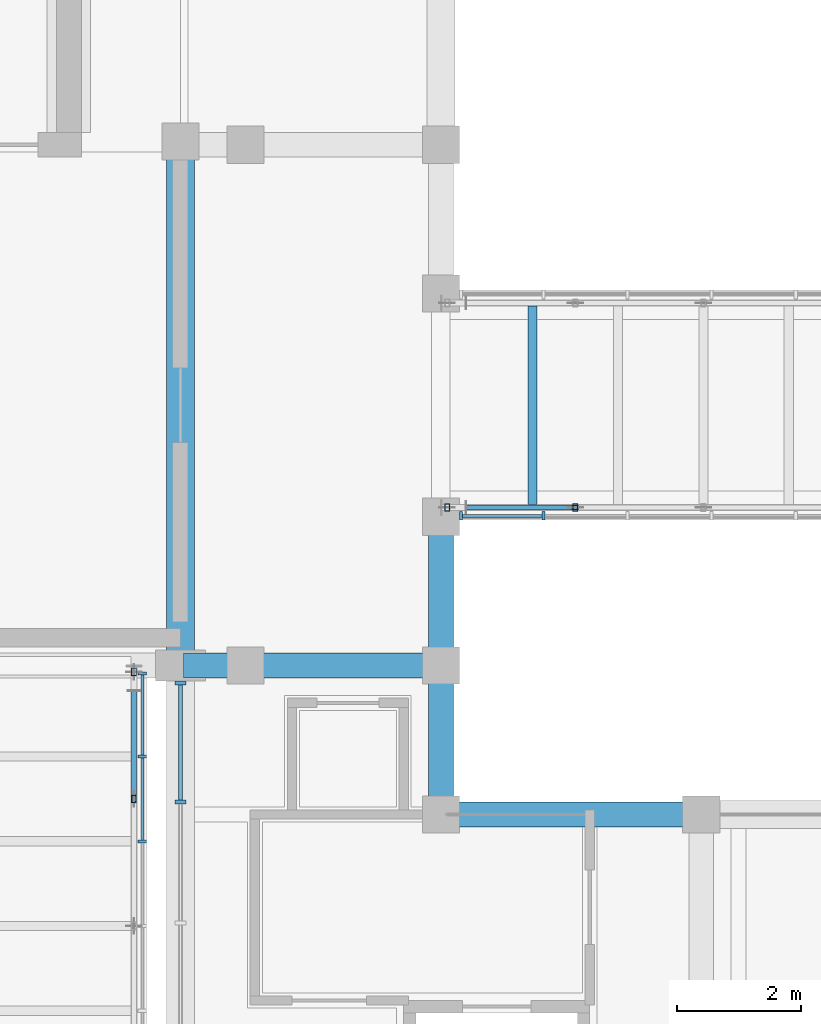
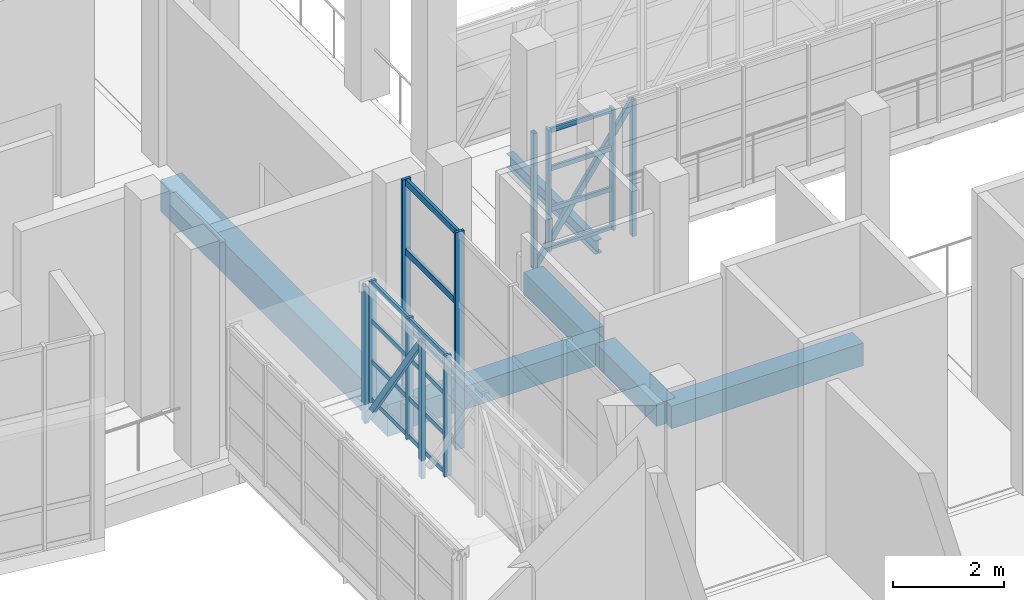
# One storey, part 13 of 86: 29 members, 7 beams, 3 elements without a shape of their own.
"""IFC4 building model written with IfcOpenShell, lengths in metres."""

from ifc_helpers import new_model, si_unit, direction, frame, origin, origin_2d, place, context, subcontext, project, spatial, rectangle, hollow_rectangle, i_section, extrude, material, layer, layer_set, material_profile, profile_set, type_object, element, aggregate, save


model = new_model("IFC4")

# Units and contexts
model_context = context("Model", 3, precision=1e-05, world=origin(), true_north=direction((0.0, 1.0)))
body_context = subcontext(model_context, "Body", "Model", "MODEL_VIEW")
ifc_project = project(units=[si_unit("LENGTHUNIT", "METRE"), si_unit("AREAUNIT", "SQUARE_METRE"), si_unit("VOLUMEUNIT", "CUBIC_METRE"), si_unit("PLANEANGLEUNIT", "RADIAN"), si_unit("MASSUNIT", "GRAM", prefix="KILO")], contexts=[model_context])

# Site, building, storey
site_placement = place(None, origin())
site = spatial("IfcSite", under=ifc_project, at=site_placement, CompositionType="ELEMENT")
building_placement = place(site_placement, origin())
building = spatial("IfcBuilding", under=site, at=building_placement, Name="Kiln Court Media Centre", CompositionType="ELEMENT")
storey_placement = place(building_placement, frame((0.0, 0.0, 10.199951171875)))
storey = spatial("IfcBuildingStorey", under=building, at=storey_placement, Name="L02", CompositionType="ELEMENT", Elevation=10.199951171875)

# Curtain wall, members
ifc_material_1 = material(Name="Aluminium 6063-T6", Category="aluminium")
ifc_layer_1 = layer(ifc_material_1, 0.1201171875)
ifc_layer_set_1 = layer_set([ifc_layer_1], Name="Aluminium unitised curtain wall, bridge")
curtain_wall_type_1 = type_object("IfcCurtainWallType", Name="Aluminium unitised curtain wall, bridge", PredefinedType="USERDEFINED", material=ifc_layer_set_1)
curtain_wall_1_placement = place(storey_placement, origin())
curtain_wall_1 = element("IfcCurtainWall", 1, at=curtain_wall_1_placement, inside=storey, type_object=curtain_wall_type_1, Name="BR-1 side glazing", ObjectType="UNITISED CURTAIN WALL", PredefinedType="USERDEFINED")
ifc_material_2 = material(Name="Aluminium 6063-T6", Category="aluminium")
ifc_material_profile_1 = material_profile(ifc_material_2, rectangle(XDim=0.050048828125, YDim=0.139892578125, at=origin_2d()), Name="Aluminium hall mullion 50x140")
ifc_profile_set_1 = profile_set([ifc_material_profile_1], Name="Aluminium 6063-T6")
member_type_1 = type_object("IfcMemberType", Name="Aluminium hall mullion 50x140", PredefinedType="MULLION", material=ifc_profile_set_1)
member_1_placement = place(storey_placement, frame((32.985107421875, 30.7666015625, 0.0), z_axis=(0.0, 0.0, 1.0), x_axis=(0.0, 1.0, 0.0)))
member_1 = element("IfcMember", 2, at=member_1_placement, type_object=member_type_1, Name="CW2-64 mullion 5", PredefinedType="MULLION", context=body_context, shape_type="SweptSolid", body=[
    extrude(rectangle(XDim=0.050048828125, YDim=0.139892578125, at=origin_2d()), origin(), (0.0, 0.0, 1.0), 2.675048828125),
])
member_2_placement = place(storey_placement, frame((32.985107421875, 32.13330078125, 0.0), z_axis=(0.0, 0.0, 1.0), x_axis=(0.0, 1.0, 0.0)))
member_2 = element("IfcMember", 3, at=member_2_placement, type_object=member_type_1, Name="CW2-64 mullion 6", PredefinedType="MULLION", context=body_context, shape_type="SweptSolid", body=[
    extrude(rectangle(XDim=0.050048828125, YDim=0.139892578125, at=origin_2d()), origin(), (0.0, 0.0, 1.0), 2.675048828125),
])
member_3_placement = place(storey_placement, frame((32.985107421875, 33.47509765625, 0.0), z_axis=(0.0, 0.0, 1.0), x_axis=(0.0, 1.0, 0.0)))
member_3 = element("IfcMember", 4, at=member_3_placement, type_object=member_type_1, Name="CW2-64 mullion 7", PredefinedType="MULLION", context=body_context, shape_type="SweptSolid", body=[
    extrude(rectangle(XDim=0.050048828125, YDim=0.139892578125, at=origin_2d()), origin(), (0.0, 0.0, 1.0), 2.675048828125),
])

curtain_wall_2_placement = place(storey_placement, origin())
curtain_wall_2 = element("IfcCurtainWall", 5, at=curtain_wall_2_placement, inside=storey, type_object=curtain_wall_type_1, Name="BR-L02-FOY-11 side glazing", ObjectType="UNITISED CURTAIN WALL", PredefinedType="USERDEFINED")
member_4_placement = place(storey_placement, frame((38.125, 36.014892578125, 0.0), z_axis=(0.0, 0.0, 1.0), x_axis=(1.0, 0.0, 0.0)))
member_4 = element("IfcMember", 6, at=member_4_placement, type_object=member_type_1, Name="CW2-67 mullion 1", PredefinedType="MULLION", context=body_context, shape_type="SweptSolid", body=[
    extrude(rectangle(XDim=0.050048828125, YDim=0.139892578125, at=origin_2d()), origin(), (0.0, 0.0, 1.0), 2.675048828125),
])
member_5_placement = place(storey_placement, frame((39.45556640625, 36.014892578125, 0.0), z_axis=(0.0, 0.0, 1.0), x_axis=(1.0, 0.0, 0.0)))
member_5 = element("IfcMember", 7, at=member_5_placement, type_object=member_type_1, Name="CW2-67 mullion 2", PredefinedType="MULLION", context=body_context, shape_type="SweptSolid", body=[
    extrude(rectangle(XDim=0.050048828125, YDim=0.139892578125, at=origin_2d()), origin(), (0.0, 0.0, 1.0), 2.675048828125),
])

ifc_material_3 = material(Name="Aluminium 6063-T6", Category="aluminium")
ifc_layer_2 = layer(ifc_material_3, 0.1201171875)
ifc_layer_set_2 = layer_set([ifc_layer_2], Name="Aluminium stick curtain wall, gallery")
curtain_wall_type_2 = type_object("IfcCurtainWallType", Name="Aluminium stick curtain wall, gallery", PredefinedType="USERDEFINED", material=ifc_layer_set_2)
curtain_wall_3_placement = place(storey_placement, origin())
curtain_wall_3 = element("IfcCurtainWall", 8, at=curtain_wall_3_placement, inside=storey, type_object=curtain_wall_type_2, Name="Foyer west glazing L02", ObjectType="STICK CURTAIN WALL", PredefinedType="USERDEFINED")
ifc_material_4 = material(Name="Aluminium 6063-T6", Category="aluminium")
ifc_material_profile_2 = material_profile(ifc_material_4, rectangle(XDim=0.06005859375, YDim=0.179931640625, at=origin_2d()), Name="Aluminium hall mullion 60x180")
ifc_profile_set_2 = profile_set([ifc_material_profile_2], Name="Aluminium 6063-T6")
member_type_2 = type_object("IfcMemberType", Name="Aluminium hall mullion 60x180", PredefinedType="MULLION", material=ifc_profile_set_2)
member_6_placement = place(storey_placement, frame((33.60009765625, 31.39990234375, 0.0), z_axis=(0.0, 0.0, 1.0), x_axis=(0.0, 1.0, 0.0)))
member_6 = element("IfcMember", 9, at=member_6_placement, type_object=member_type_2, Name="CW2-62 mullion 4", PredefinedType="MULLION", context=body_context, shape_type="SweptSolid", body=[
    extrude(rectangle(XDim=0.06005859375, YDim=0.179931640625, at=origin_2d()), origin(), (0.0, 0.0, 1.0), 4.800048828125),
])
member_7_placement = place(storey_placement, frame((33.60009765625, 33.320068359375, 0.0), z_axis=(0.0, 0.0, 1.0), x_axis=(0.0, 1.0, 0.0)))
member_7 = element("IfcMember", 10, at=member_7_placement, type_object=member_type_2, Name="CW2-62 mullion 5", PredefinedType="MULLION", context=body_context, shape_type="SweptSolid", body=[
    extrude(rectangle(XDim=0.06005859375, YDim=0.179931640625, at=origin_2d()), origin(), (0.0, 0.0, 1.0), 4.800048828125),
])

# Member
ifc_material_5 = material(Name="Aluminium 6063-T6", Category="aluminium")
ifc_material_profile_3 = material_profile(ifc_material_5, rectangle(XDim=0.050048828125, YDim=0.10009765625, at=origin_2d()), Name="Aluminium hall transom 50x100")
ifc_profile_set_3 = profile_set([ifc_material_profile_3], Name="Aluminium 6063-T6")
member_type_3 = type_object("IfcMemberType", Name="Aluminium hall transom 50x100", PredefinedType="USERDEFINED", material=ifc_profile_set_3)
member_8_placement = place(storey_placement, frame((32.985107421875, 30.791748046875, 0.050048828125), z_axis=(0.0, 1.0, 0.0), x_axis=(-1.0, 0.0, 0.0)))
member_8 = element("IfcMember", 11, at=member_8_placement, type_object=member_type_3, Name="CW2-64 transom 5.1", ObjectType="TRANSOM", PredefinedType="USERDEFINED", context=body_context, shape_type="SweptSolid", body=[
    extrude(rectangle(XDim=0.050048828125, YDim=0.10009765625, at=origin_2d()), origin(), (0.0, 0.0, 1.0), 1.316650390625),
])

member_9_placement = place(storey_placement, frame((32.985107421875, 30.791748046875, 0.891845703125), z_axis=(0.0, 1.0, 0.0), x_axis=(-1.0, 0.0, 0.0)))
member_9 = element("IfcMember", 12, at=member_9_placement, type_object=member_type_3, Name="CW2-64 transom 5.2", ObjectType="TRANSOM", PredefinedType="USERDEFINED", context=body_context, shape_type="SweptSolid", body=[
    extrude(rectangle(XDim=0.050048828125, YDim=0.10009765625, at=origin_2d()), origin(), (0.0, 0.0, 1.0), 1.316650390625),
])

member_10_placement = place(storey_placement, frame((32.985107421875, 30.791748046875, 1.783447265625), z_axis=(0.0, 1.0, 0.0), x_axis=(-1.0, 0.0, 0.0)))
member_10 = element("IfcMember", 13, at=member_10_placement, type_object=member_type_3, Name="CW2-64 transom 5.3", ObjectType="TRANSOM", PredefinedType="USERDEFINED", context=body_context, shape_type="SweptSolid", body=[
    extrude(rectangle(XDim=0.050048828125, YDim=0.10009765625, at=origin_2d()), origin(), (0.0, 0.0, 1.0), 1.316650390625),
])

member_11_placement = place(storey_placement, frame((32.985107421875, 30.791748046875, 2.625), z_axis=(0.0, 1.0, 0.0), x_axis=(-1.0, 0.0, 0.0)))
member_11 = element("IfcMember", 14, at=member_11_placement, type_object=member_type_3, Name="CW2-64 transom 5.4", ObjectType="TRANSOM", PredefinedType="USERDEFINED", context=body_context, shape_type="SweptSolid", body=[
    extrude(rectangle(XDim=0.050048828125, YDim=0.10009765625, at=origin_2d()), origin(), (0.0, 0.0, 1.0), 1.316650390625),
])

member_12_placement = place(storey_placement, frame((32.985107421875, 32.158447265625, 0.050048828125), z_axis=(0.0, 1.0, 0.0), x_axis=(-1.0, 0.0, 0.0)))
member_12 = element("IfcMember", 15, at=member_12_placement, type_object=member_type_3, Name="CW2-64 transom 6.1", ObjectType="TRANSOM", PredefinedType="USERDEFINED", context=body_context, shape_type="SweptSolid", body=[
    extrude(rectangle(XDim=0.050048828125, YDim=0.10009765625, at=origin_2d()), origin(), (0.0, 0.0, 1.0), 1.29150390625),
])

member_13_placement = place(storey_placement, frame((32.985107421875, 32.158447265625, 0.891845703125), z_axis=(0.0, 1.0, 0.0), x_axis=(-1.0, 0.0, 0.0)))
member_13 = element("IfcMember", 16, at=member_13_placement, type_object=member_type_3, Name="CW2-64 transom 6.2", ObjectType="TRANSOM", PredefinedType="USERDEFINED", context=body_context, shape_type="SweptSolid", body=[
    extrude(rectangle(XDim=0.050048828125, YDim=0.10009765625, at=origin_2d()), origin(), (0.0, 0.0, 1.0), 1.29150390625),
])

member_14_placement = place(storey_placement, frame((32.985107421875, 32.158447265625, 1.783447265625), z_axis=(0.0, 1.0, 0.0), x_axis=(-1.0, 0.0, 0.0)))
member_14 = element("IfcMember", 17, at=member_14_placement, type_object=member_type_3, Name="CW2-64 transom 6.3", ObjectType="TRANSOM", PredefinedType="USERDEFINED", context=body_context, shape_type="SweptSolid", body=[
    extrude(rectangle(XDim=0.050048828125, YDim=0.10009765625, at=origin_2d()), origin(), (0.0, 0.0, 1.0), 1.29150390625),
])

member_15_placement = place(storey_placement, frame((32.985107421875, 32.158447265625, 2.625), z_axis=(0.0, 1.0, 0.0), x_axis=(-1.0, 0.0, 0.0)))
member_15 = element("IfcMember", 18, at=member_15_placement, type_object=member_type_3, Name="CW2-64 transom 6.4", ObjectType="TRANSOM", PredefinedType="USERDEFINED", context=body_context, shape_type="SweptSolid", body=[
    extrude(rectangle(XDim=0.050048828125, YDim=0.10009765625, at=origin_2d()), origin(), (0.0, 0.0, 1.0), 1.29150390625),
])

aggregate(curtain_wall_1, [member_1, member_2, member_3, member_8, member_9, member_10, member_11, member_12, member_13, member_14, member_15])

member_16_placement = place(storey_placement, frame((38.14990234375, 36.014892578125, 0.050048828125), z_axis=(1.0, 0.0, 0.0), x_axis=(0.0, 1.0, 0.0)))
member_16 = element("IfcMember", 19, at=member_16_placement, type_object=member_type_3, Name="CW2-67 transom 1.1", ObjectType="TRANSOM", PredefinedType="USERDEFINED", context=body_context, shape_type="SweptSolid", body=[
    extrude(rectangle(XDim=0.050048828125, YDim=0.10009765625, at=origin_2d()), origin(), (0.0, 0.0, 1.0), 1.28076171875),
])

member_17_placement = place(storey_placement, frame((38.14990234375, 36.014892578125, 0.891845703125), z_axis=(1.0, 0.0, 0.0), x_axis=(0.0, 1.0, 0.0)))
member_17 = element("IfcMember", 20, at=member_17_placement, type_object=member_type_3, Name="CW2-67 transom 1.2", ObjectType="TRANSOM", PredefinedType="USERDEFINED", context=body_context, shape_type="SweptSolid", body=[
    extrude(rectangle(XDim=0.050048828125, YDim=0.10009765625, at=origin_2d()), origin(), (0.0, 0.0, 1.0), 1.28076171875),
])

member_18_placement = place(storey_placement, frame((38.14990234375, 36.014892578125, 1.783447265625), z_axis=(1.0, 0.0, 0.0), x_axis=(0.0, 1.0, 0.0)))
member_18 = element("IfcMember", 21, at=member_18_placement, type_object=member_type_3, Name="CW2-67 transom 1.3", ObjectType="TRANSOM", PredefinedType="USERDEFINED", context=body_context, shape_type="SweptSolid", body=[
    extrude(rectangle(XDim=0.050048828125, YDim=0.10009765625, at=origin_2d()), origin(), (0.0, 0.0, 1.0), 1.28076171875),
])

member_19_placement = place(storey_placement, frame((38.14990234375, 36.014892578125, 2.625), z_axis=(1.0, 0.0, 0.0), x_axis=(0.0, 1.0, 0.0)))
member_19 = element("IfcMember", 22, at=member_19_placement, type_object=member_type_3, Name="CW2-67 transom 1.4", ObjectType="TRANSOM", PredefinedType="USERDEFINED", context=body_context, shape_type="SweptSolid", body=[
    extrude(rectangle(XDim=0.050048828125, YDim=0.10009765625, at=origin_2d()), origin(), (0.0, 0.0, 1.0), 1.28076171875),
])

aggregate(curtain_wall_2, [member_4, member_5, member_16, member_17, member_18, member_19])

ifc_material_6 = material(Name="Aluminium 6063-T6", Category="aluminium")
ifc_material_profile_4 = material_profile(ifc_material_6, rectangle(XDim=0.06005859375, YDim=0.139892578125, at=origin_2d()), Name="Aluminium hall transom 60x140")
ifc_profile_set_4 = profile_set([ifc_material_profile_4], Name="Aluminium 6063-T6")
member_type_4 = type_object("IfcMemberType", Name="Aluminium hall transom 60x140", PredefinedType="USERDEFINED", material=ifc_profile_set_4)
member_20_placement = place(storey_placement, frame((33.60009765625, 31.429931640625, 0.070068359375), z_axis=(0.0, 1.0, 0.0), x_axis=(-1.0, 0.0, 0.0)))
member_20 = element("IfcMember", 23, at=member_20_placement, type_object=member_type_4, Name="CW2-62 transom 4.1", ObjectType="TRANSOM", PredefinedType="USERDEFINED", context=body_context, shape_type="SweptSolid", body=[
    extrude(rectangle(XDim=0.06005859375, YDim=0.139892578125, at=origin_2d()), origin(), (0.0, 0.0, 1.0), 1.860107421875),
])

member_21_placement = place(storey_placement, frame((33.60009765625, 31.429931640625, 1.60009765625), z_axis=(0.0, 1.0, 0.0), x_axis=(-1.0, 0.0, 0.0)))
member_21 = element("IfcMember", 24, at=member_21_placement, type_object=member_type_4, Name="CW2-62 transom 4.2", ObjectType="TRANSOM", PredefinedType="USERDEFINED", context=body_context, shape_type="SweptSolid", body=[
    extrude(rectangle(XDim=0.06005859375, YDim=0.139892578125, at=origin_2d()), origin(), (0.0, 0.0, 1.0), 1.860107421875),
])

member_22_placement = place(storey_placement, frame((33.60009765625, 31.429931640625, 3.199951171875), z_axis=(0.0, 1.0, 0.0), x_axis=(-1.0, 0.0, 0.0)))
member_22 = element("IfcMember", 25, at=member_22_placement, type_object=member_type_4, Name="CW2-62 transom 4.3", ObjectType="TRANSOM", PredefinedType="USERDEFINED", context=body_context, shape_type="SweptSolid", body=[
    extrude(rectangle(XDim=0.06005859375, YDim=0.139892578125, at=origin_2d()), origin(), (0.0, 0.0, 1.0), 1.860107421875),
])

member_23_placement = place(storey_placement, frame((33.60009765625, 31.429931640625, 4.72998046875), z_axis=(0.0, 1.0, 0.0), x_axis=(-1.0, 0.0, 0.0)))
member_23 = element("IfcMember", 26, at=member_23_placement, type_object=member_type_4, Name="CW2-62 transom 4.4", ObjectType="TRANSOM", PredefinedType="USERDEFINED", context=body_context, shape_type="SweptSolid", body=[
    extrude(rectangle(XDim=0.06005859375, YDim=0.139892578125, at=origin_2d()), origin(), (0.0, 0.0, 1.0), 1.860107421875),
])

aggregate(curtain_wall_3, [member_6, member_7, member_20, member_21, member_22, member_23])

# Beams
ifc_material_7 = material(Name="Concrete C30/37", Category="concrete")
ifc_material_profile_5 = material_profile(ifc_material_7, rectangle(XDim=0.39990234375, YDim=0.5, at=origin_2d()), Name="RC 400x500")
ifc_profile_set_5 = profile_set([ifc_material_profile_5], Name="Concrete C30/37")
beam_type_1 = type_object("IfcBeamType", Name="Concrete C30/37 beam 400x500", PredefinedType="BEAM", material=ifc_profile_set_5)
beam_1_placement = place(storey_placement, frame((33.64990234375, 33.60009765625, -0.550048828125), z_axis=(1.0, 0.0, 0.0), x_axis=(0.0, 1.0, 0.0)))
element("IfcBeam", 27, at=beam_1_placement, inside=storey, type_object=beam_type_1, Name="L02-B-1083", PredefinedType="BEAM", context=body_context, shape_type="SweptSolid", body=[
    extrude(rectangle(XDim=0.39990234375, YDim=0.5, at=origin_2d()), origin(), (0.0, 0.0, 1.0), 1.0),
])
beam_2_placement = place(storey_placement, frame((34.64990234375, 33.60009765625, -0.550048828125), z_axis=(1.0, 0.0, 0.0), x_axis=(0.0, 1.0, 0.0)))
element("IfcBeam", 28, at=beam_2_placement, inside=storey, type_object=beam_type_1, Name="L02-B-1084", PredefinedType="BEAM", context=body_context, shape_type="SweptSolid", body=[
    extrude(rectangle(XDim=0.39990234375, YDim=0.5, at=origin_2d()), origin(), (0.0, 0.0, 1.0), 3.151123046875),
])
for number, where, z_axis, x_axis, name in (
    (29, (37.800048828125, 36.0, -0.550048828125), (0.0, -1.0, 0.0), (1.0, 0.0, 0.0), "L02-B-1100"),
    (30, (37.800048828125, 33.39990234375, -0.550048828125), (0.0, -1.0, 0.0), (1.0, 0.0, 0.0), "L02-B-1101"),
):
    element("IfcBeam", number, at=place(storey_placement, frame(where, z_axis=z_axis, x_axis=x_axis)), inside=storey, type_object=beam_type_1, Name=name, PredefinedType="BEAM", context=body_context, shape_type="SweptSolid", body=[
        extrude(rectangle(XDim=0.39990234375, YDim=0.5, at=origin_2d()), origin(), (0.0, 0.0, 1.0), 2.199951171875),
    ])
beam_3_placement = place(storey_placement, frame((37.800048828125, 31.199951171875, -0.550048828125), z_axis=(1.0, 0.0, 0.0), x_axis=(0.0, 1.0, 0.0)))
element("IfcBeam", 31, at=beam_3_placement, inside=storey, type_object=beam_type_1, Name="L02-B-1102", PredefinedType="BEAM", context=body_context, shape_type="SweptSolid", body=[
    extrude(rectangle(XDim=0.39990234375, YDim=0.5, at=origin_2d()), origin(), (0.0, 0.0, 1.0), 4.0),
])
ifc_material_8 = material(Name="Concrete C30/37", Category="concrete")
ifc_material_profile_6 = material_profile(ifc_material_8, rectangle(XDim=0.449951171875, YDim=0.699951171875, at=origin_2d()), Name="RC 450x700")
ifc_profile_set_6 = profile_set([ifc_material_profile_6], Name="Concrete C30/37")
beam_type_2 = type_object("IfcBeamType", Name="Concrete C30/37 beam 450x700", PredefinedType="BEAM", material=ifc_profile_set_6)
beam_4_placement = place(storey_placement, frame((33.60009765625, 33.60009765625, -0.64990234375), z_axis=(0.0, 1.0, 0.0), x_axis=(-1.0, 0.0, 0.0)))
element("IfcBeam", 32, at=beam_4_placement, inside=storey, type_object=beam_type_2, Name="L02-B-1062", PredefinedType="BEAM", context=body_context, shape_type="SweptSolid", body=[
    extrude(rectangle(XDim=0.449951171875, YDim=0.699951171875, at=origin_2d()), origin(), (0.0, 0.0, 1.0), 8.199951171875),
])

# Members
ifc_material_9 = material(Name="Steel ASTM A500 Gr C", Category="steel")
ifc_material_profile_7 = material_profile(ifc_material_9, hollow_rectangle(XDim=0.080078125, YDim=0.1201171875, WallThickness=0.00634765625, at=origin_2d()), Name="RHS 120x80x6.3")
ifc_profile_set_7 = profile_set([ifc_material_profile_7], Name="Steel ASTM A500 Gr C")
member_type_5 = type_object("IfcMemberType", Name="Steel ASTM A500 Gr C RHS 120x80x6.3 bridge truss web", PredefinedType="BRACE", material=ifc_profile_set_7)
for number, where, z_axis, x_axis, name in (
    (33, (32.85009765625, 31.449951171875, -0.39990234375), (0.0, 0.0, 1.0), (1.0, 0.0, 0.0), "bridge BR-1 side truss 2 post 4 bridge truss web"),
    (34, (32.85009765625, 33.5, -0.39990234375), (0.0, 0.0, 1.0), (1.0, 0.0, 0.0), "bridge BR-1 side truss 2 post 5 bridge truss web"),
):
    element("IfcMember", number, at=place(storey_placement, frame(where, z_axis=z_axis, x_axis=x_axis)), inside=storey, type_object=member_type_5, Name=name, PredefinedType="BRACE", context=body_context, shape_type="SweptSolid", body=[
        extrude(hollow_rectangle(XDim=0.080078125, YDim=0.1201171875, WallThickness=0.00634765625, at=origin_2d()), origin(), (0.0, 0.0, 1.0), 3.0),
    ])
member_24_placement = place(storey_placement, frame((32.85009765625, 31.449951171875, 2.60009765625), z_axis=(0.0, 0.564199665614, -0.825638381691), x_axis=(-1.0, 0.0, 0.0)))
element("IfcMember", 35, at=member_24_placement, inside=storey, type_object=member_type_5, Name="bridge BR-1 side truss 2 diagonal 4 bridge truss web", PredefinedType="BRACE", context=body_context, shape_type="SweptSolid", body=[
    extrude(hollow_rectangle(XDim=0.080078125, YDim=0.1201171875, WallThickness=0.00634765625, at=origin_2d()), origin(), (0.0, 0.0, 1.0), 3.633544921875),
])
for number, where, z_axis, x_axis, name in (
    (36, (37.89990234375, 36.14990234375, -0.39990234375), (0.0, 0.0, 1.0), (1.0, 0.0, 0.0), "bridge BR-L02-FOY-11 side truss 1 post 1 bridge truss web"),
    (37, (39.966796875, 36.14990234375, -0.39990234375), (0.0, 0.0, 1.0), (1.0, 0.0, 0.0), "bridge BR-L02-FOY-11 side truss 1 post 2 bridge truss web"),
):
    element("IfcMember", number, at=place(storey_placement, frame(where, z_axis=z_axis, x_axis=x_axis)), inside=storey, type_object=member_type_5, Name=name, PredefinedType="BRACE", context=body_context, shape_type="SweptSolid", body=[
        extrude(hollow_rectangle(XDim=0.080078125, YDim=0.1201171875, WallThickness=0.00634765625, at=origin_2d()), origin(), (0.0, 0.0, 1.0), 3.0),
    ])
member_25_placement = place(storey_placement, frame((37.89990234375, 36.14990234375, -0.39990234375), z_axis=(0.567347652797, 0.0, 0.823478379113), x_axis=(0.0, 1.0, 0.0)))
element("IfcMember", 38, at=member_25_placement, inside=storey, type_object=member_type_5, Name="bridge BR-L02-FOY-11 side truss 1 diagonal 1 bridge truss web", PredefinedType="BRACE", context=body_context, shape_type="SweptSolid", body=[
    extrude(hollow_rectangle(XDim=0.080078125, YDim=0.1201171875, WallThickness=0.00634765625, at=origin_2d()), origin(), (0.0, 0.0, 1.0), 3.64306640625),
])

# Beam
ifc_material_10 = material(Name="Steel ASTM A572 Gr 50", Category="steel")
ifc_material_profile_8 = material_profile(ifc_material_10, i_section(OverallWidth=0.14990234375, OverallDepth=0.300048828125, WebThickness=0.007080078125, FlangeThickness=0.0107421875, FilletRadius=0.014892578125, at=origin_2d()), Name="IPE 300")
ifc_profile_set_8 = profile_set([ifc_material_profile_8], Name="Steel ASTM A572 Gr 50")
beam_type_3 = type_object("IfcBeamType", Name="Steel ASTM A572 Gr 50 IPE 300 bridge floor beam", PredefinedType="BEAM", material=ifc_profile_set_8)
beam_5_placement = place(storey_placement, frame((39.27783203125, 36.199951171875, -0.449951171875), z_axis=(0.0, 1.0, 0.0), x_axis=(-1.0, 0.0, 0.0)))
element("IfcBeam", 39, at=beam_5_placement, inside=storey, type_object=beam_type_3, Name="bridge BR-L02-FOY-11 floor beam 1 bridge floor beam", PredefinedType="BEAM", context=body_context, shape_type="SweptSolid", body=[
    extrude(i_section(OverallWidth=0.14990234375, OverallDepth=0.300048828125, WebThickness=0.007080078125, FlangeThickness=0.0107421875, FilletRadius=0.014892578125, at=origin_2d()), origin(), (0.0, 0.0, 1.0), 3.199951171875),
])

save(model, "model.ifc")
